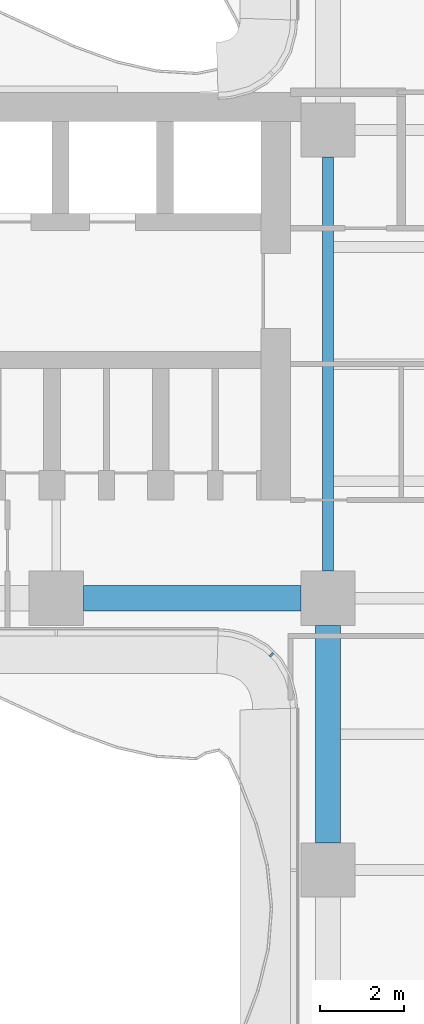
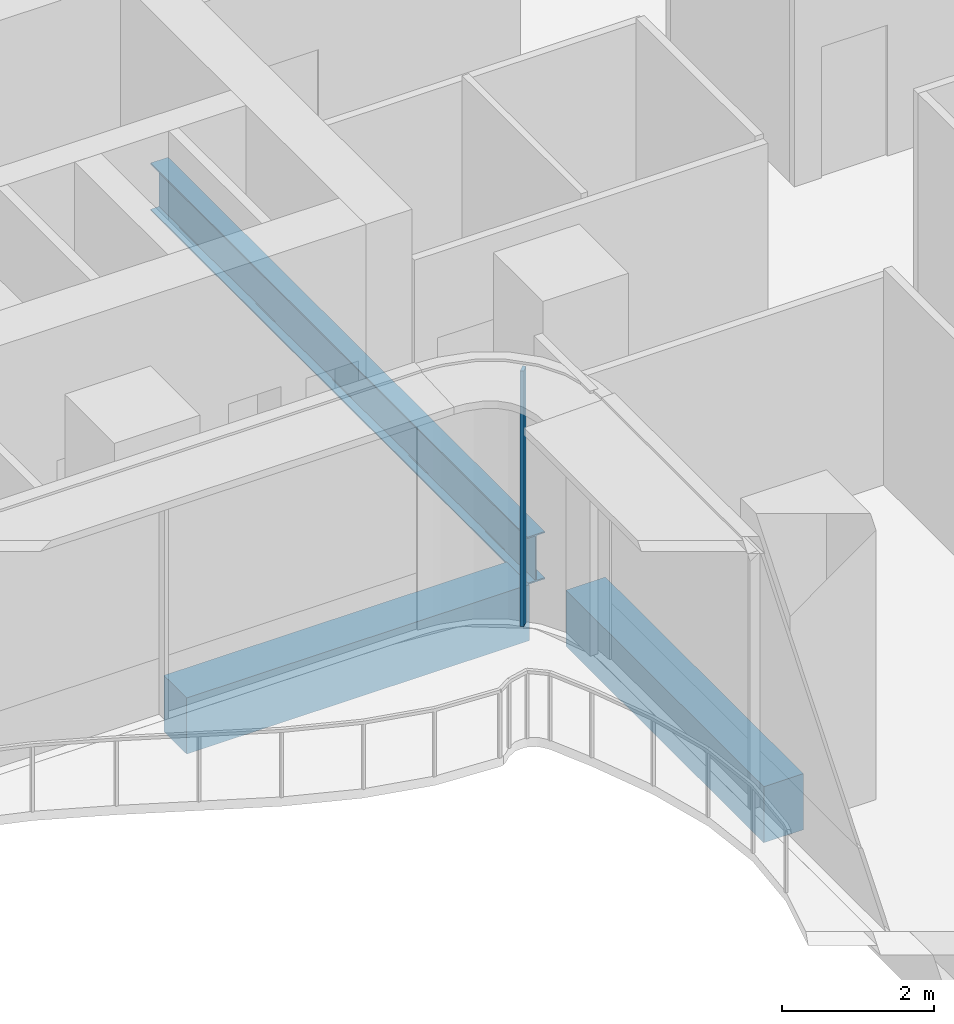
# One storey, part 4 of 20: 3 beams, 1 member, 1 element without a shape of its own.
"""IFC4 building model written with IfcOpenShell, lengths in metres."""

from ifc_helpers import new_model, si_unit, direction, frame, origin, origin_2d, place, context, subcontext, project, spatial, rectangle, i_section, extrude, source, transform, mapped, material, layer, layer_set, material_profile, profile_set, type_object, element, aggregate, save


model = new_model("IFC4")

# Units and contexts
model_context = context("Model", 3, precision=1e-05, world=origin(), true_north=direction((0.0, 1.0)))
body_context = subcontext(model_context, "Body", "Model", "MODEL_VIEW")
ifc_project = project(units=[si_unit("LENGTHUNIT", "METRE"), si_unit("AREAUNIT", "SQUARE_METRE"), si_unit("VOLUMEUNIT", "CUBIC_METRE"), si_unit("PLANEANGLEUNIT", "RADIAN"), si_unit("MASSUNIT", "GRAM", prefix="KILO")], contexts=[model_context])

# Site, building, storey
site_placement = place(None, origin())
site = spatial("IfcSite", under=ifc_project, at=site_placement, CompositionType="ELEMENT")
building_placement = place(site_placement, origin())
building = spatial("IfcBuilding", under=site, at=building_placement, Name="Trellis Farm Tower", CompositionType="ELEMENT")
storey_placement = place(building_placement, frame((0.0, 0.0, 142.5)))
storey = spatial("IfcBuildingStorey", under=building, at=storey_placement, Name="L30", CompositionType="ELEMENT", Elevation=142.5)

# Beams
ifc_material_1 = material(Name="Steel S355", Category="steel")
ifc_material_profile_1 = material_profile(ifc_material_1, i_section(OverallWidth=0.2666015625, OverallDepth=0.76220703125, WebThickness=0.014404296875, FlangeThickness=0.021484375, FilletRadius=0.0166015625, at=origin_2d()), Name="UB 762x267x173")
ifc_profile_set_1 = profile_set([ifc_material_profile_1], Name="Steel S355")
beam_type_1 = type_object("IfcBeamType", Name="UB 762x267x173", PredefinedType="BEAM", material=ifc_profile_set_1)
shared_shape_1 = source(origin(), body_context, "Body", "SweptSolid", [
    extrude(i_section(OverallWidth=0.2666015625, OverallDepth=0.76220703125, WebThickness=0.014404296875, FlangeThickness=0.021484375, FilletRadius=0.0166015625, at=origin_2d()), origin(), (0.0, 0.0, 1.0), 9.89990234375),
])
beam_placement = place(storey_placement, frame((-5.60009765625, -4.949951171875, -0.631103515625), z_axis=(0.0, 1.0, 0.0), x_axis=(-1.0, 0.0, 0.0)))
element("IfcBeam", 1, at=beam_placement, inside=storey, type_object=beam_type_1, Name="Girder", PredefinedType="BEAM", context=body_context, shape_type="MappedRepresentation", body=[
    mapped(shared_shape_1, transform((0.0, 0.0, 0.0))),
])
ifc_material_2 = material(Name="Concrete C60/75", Category="concrete")
ifc_material_profile_2 = material_profile(ifc_material_2, rectangle(XDim=0.60009765625, YDim=0.89990234375, at=origin_2d()), Name="RC spandrel beam 600x900 C60/75")
ifc_profile_set_2 = profile_set([ifc_material_profile_2], Name="Concrete C60/75")
beam_type_2 = type_object("IfcBeamType", Name="RC spandrel beam 600x900 C60/75", PredefinedType="SPANDREL", material=ifc_profile_set_2)
shared_shape_2 = source(origin(), body_context, "Body", "SweptSolid", [
    extrude(rectangle(XDim=0.60009765625, YDim=0.89990234375, at=origin_2d()), origin(), (0.0, 0.0, 1.0), 5.199951171875),
])
for number, where, z_axis, x_axis, name in (
    (2, (-11.449951171875, -5.60009765625, -0.699951171875), (1.0, 0.0, 0.0), (0.0, 1.0, 0.0), "Girder"),
    (3, (-5.60009765625, -11.449951171875, -0.699951171875), (0.0, 1.0, 0.0), (-1.0, 0.0, 0.0), "Girder"),
):
    element("IfcBeam", number, at=place(storey_placement, frame(where, z_axis=z_axis, x_axis=x_axis)), inside=storey, type_object=beam_type_2, Name=name, PredefinedType="SPANDREL", context=body_context, shape_type="MappedRepresentation", body=[
        mapped(shared_shape_2, transform((0.0, 0.0, 0.0))),
    ])

# Curtain wall, member
ifc_material_3 = material(Name="Aluminium and glass curtain wall", Category="aluminium")
ifc_layer = layer(ifc_material_3, 0.166015625)
ifc_layer_set = layer_set([ifc_layer], Name="WINTER GARDEN CURTAIN WALL CW3")
curtain_wall_type = type_object("IfcCurtainWallType", Name="WINTER GARDEN CURTAIN WALL CW3", PredefinedType="NOTDEFINED", material=ifc_layer_set)
curtain_wall_placement = place(storey_placement, origin())
curtain_wall = element("IfcCurtainWall", 4, at=curtain_wall_placement, inside=storey, type_object=curtain_wall_type, Name="CW3 001", PredefinedType="NOTDEFINED")
ifc_material_4 = material(Name="Aluminium extrusion 6063-T6", Category="aluminium")
ifc_material_profile_3 = material_profile(ifc_material_4, rectangle(XDim=0.050048828125, YDim=0.1201171875, at=origin_2d()), Name="MULLION 50x120")
ifc_profile_set_3 = profile_set([ifc_material_profile_3], Name="Aluminium extrusion 6063-T6")
member_type = type_object("IfcMemberType", Name="CW3 MULLION 50x120", PredefinedType="MULLION", material=ifc_profile_set_3)
shared_shape_3 = source(origin(), body_context, "Body", "SweptSolid", [
    extrude(rectangle(XDim=0.050048828125, YDim=0.1201171875, at=origin_2d()), origin(), (0.0, 0.0, 1.0), 4.10009765625),
])
member_placement = place(storey_placement, frame((-6.953125, -6.953125, 0.0), z_axis=(0.0, 0.0, 1.0), x_axis=(0.707106781187, -0.707106781187, 0.0)))
member = element("IfcMember", 5, at=member_placement, type_object=member_type, Name="MU3 001-01", PredefinedType="MULLION", context=body_context, shape_type="MappedRepresentation", body=[
    mapped(shared_shape_3, transform((0.0, 0.0, 0.0))),
])
aggregate(curtain_wall, [member])

save(model, "model.ifc")
